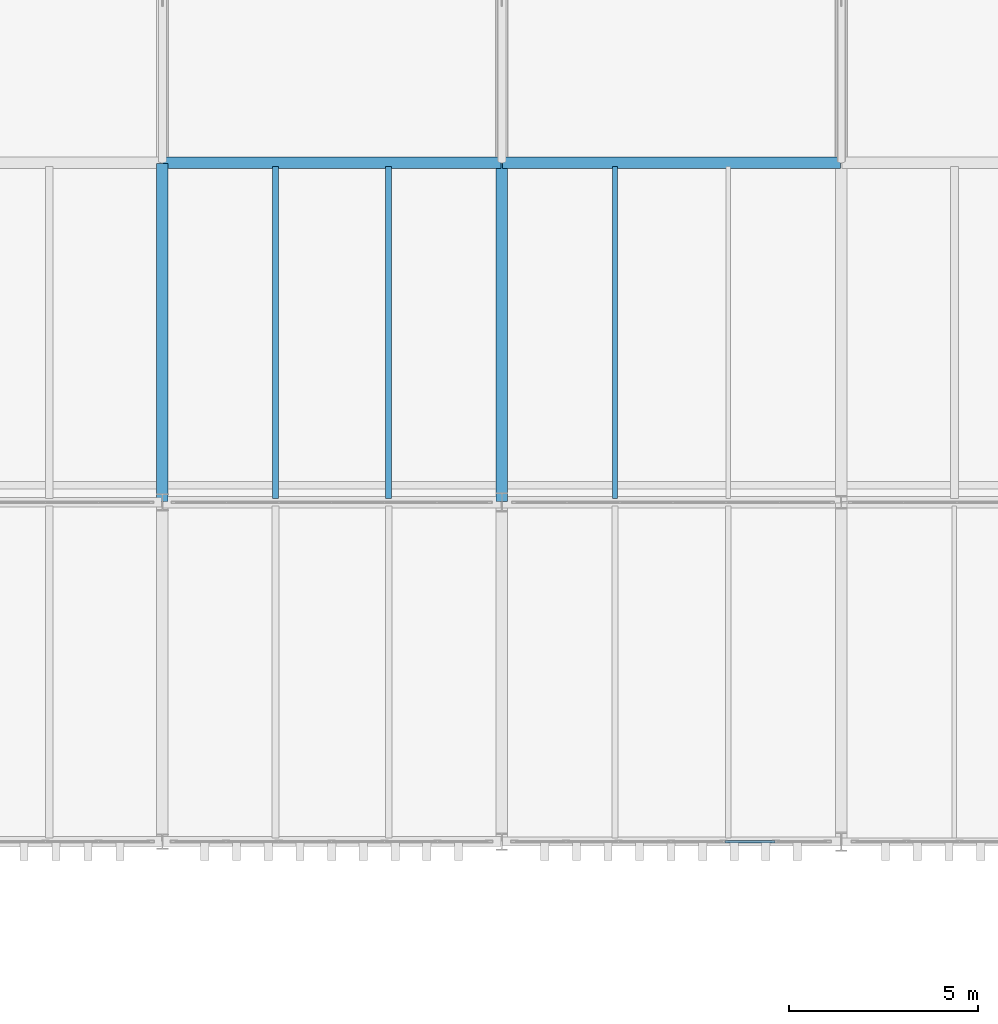
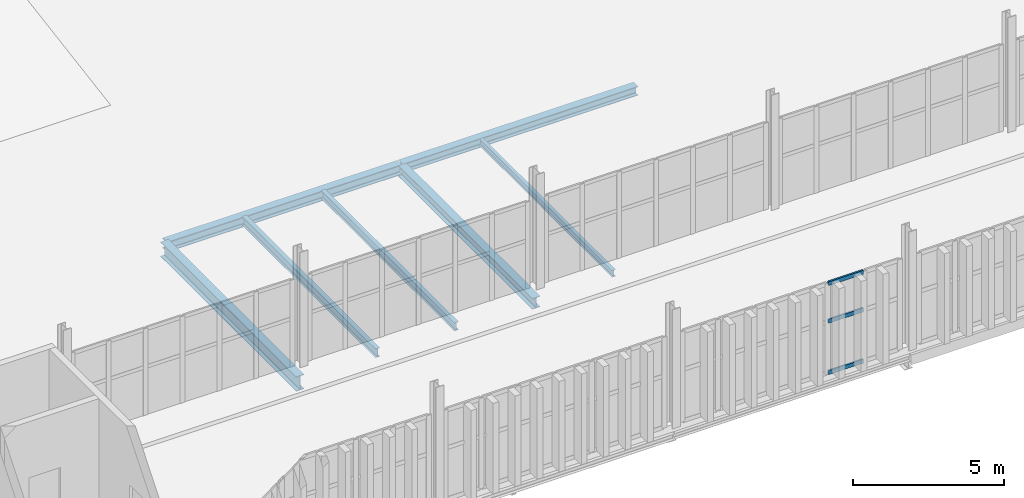
# One storey, part 36 of 196: 7 beams, 3 members, 1 element without a shape of its own.
"""IFC4 building model written with IfcOpenShell, lengths in metres."""

from ifc_helpers import new_model, si_unit, direction, frame, origin, origin_2d, place, context, subcontext, project, spatial, hollow_rectangle, i_section, extrude, material, layer, layer_set, material_profile, profile_set, type_object, element, aggregate, save


model = new_model("IFC4")

# Units and contexts
model_context = context("Model", 3, precision=1e-05, world=origin(), true_north=direction((0.0, 1.0)))
body_context = subcontext(model_context, "Body", "Model", "MODEL_VIEW")
ifc_project = project(units=[si_unit("LENGTHUNIT", "METRE"), si_unit("AREAUNIT", "SQUARE_METRE"), si_unit("VOLUMEUNIT", "CUBIC_METRE"), si_unit("PLANEANGLEUNIT", "RADIAN"), si_unit("MASSUNIT", "GRAM", prefix="KILO")], contexts=[model_context])

# Site, building, storey
site_placement = place(None, origin())
site = spatial("IfcSite", under=ifc_project, at=site_placement, CompositionType="ELEMENT")
building_placement = place(site_placement, origin())
building = spatial("IfcBuilding", under=site, at=building_placement, Name="Barlavento Convention Centre", CompositionType="ELEMENT")
storey_placement = place(building_placement, frame((0.0, 0.0, 18.0)))
storey = spatial("IfcBuildingStorey", under=building, at=storey_placement, Name="L03", CompositionType="ELEMENT", Elevation=18.0)

# Curtain wall, members
ifc_material_1 = material(Name="Powder-coated aluminium and Low-E glass", Category="aluminium")
ifc_layer = layer(ifc_material_1, 0.179931640625)
ifc_layer_set = layer_set([ifc_layer], Name="ARC-CW-CONF-L03")
curtain_wall_type = type_object("IfcCurtainWallType", Name="ARC-CW-CONF-L03", PredefinedType="NOTDEFINED", material=ifc_layer_set)
curtain_wall_placement = place(storey_placement, origin())
curtain_wall = element("IfcCurtainWall", 1, at=curtain_wall_placement, inside=storey, type_object=curtain_wall_type, Name="L03 unitised curtain wall CW08", PredefinedType="NOTDEFINED")
ifc_material_2 = material(Name="Powder-coated aluminium", Category="aluminium")
ifc_material_profile_1 = material_profile(ifc_material_2, hollow_rectangle(XDim=0.06494140625, YDim=0.159912109375, WallThickness=0.0048828125, at=origin_2d()), Name="AL-TRAN 65x160x5")
ifc_profile_set_1 = profile_set([ifc_material_profile_1], Name="Powder-coated aluminium")
member_type = type_object("IfcMemberType", Name="ARC-CWT-65X160", PredefinedType="USERDEFINED", material=ifc_profile_set_1)
member_1_placement = place(storey_placement, frame((95.9140625, 45.0, 0.032470703125), z_axis=(1.0, 0.0, 0.0), x_axis=(0.0, 1.0, 0.0)))
member_1 = element("IfcMember", 2, at=member_1_placement, type_object=member_type, Name="CW08 transom 5.1", ObjectType="TRANSOM", PredefinedType="USERDEFINED", context=body_context, shape_type="SweptSolid", body=[
    extrude(hollow_rectangle(XDim=0.06494140625, YDim=0.159912109375, WallThickness=0.0048828125, at=origin_2d()), origin(), (0.0, 0.0, 1.0), 1.329345703125),
])
member_2_placement = place(storey_placement, frame((95.9140625, 45.0, 2.10009765625), z_axis=(1.0, 0.0, 0.0), x_axis=(0.0, 1.0, 0.0)))
member_2 = element("IfcMember", 3, at=member_2_placement, type_object=member_type, Name="CW08 transom 5.2", ObjectType="TRANSOM", PredefinedType="USERDEFINED", context=body_context, shape_type="SweptSolid", body=[
    extrude(hollow_rectangle(XDim=0.06494140625, YDim=0.159912109375, WallThickness=0.0048828125, at=origin_2d()), origin(), (0.0, 0.0, 1.0), 1.329345703125),
])
member_3_placement = place(storey_placement, frame((95.9140625, 45.0, 3.617431640625), z_axis=(1.0, 0.0, 0.0), x_axis=(0.0, 1.0, 0.0)))
member_3 = element("IfcMember", 4, at=member_3_placement, type_object=member_type, Name="CW08 transom 5.3", ObjectType="TRANSOM", PredefinedType="USERDEFINED", context=body_context, shape_type="SweptSolid", body=[
    extrude(hollow_rectangle(XDim=0.06494140625, YDim=0.159912109375, WallThickness=0.0048828125, at=origin_2d()), origin(), (0.0, 0.0, 1.0), 1.329345703125),
])
aggregate(curtain_wall, [member_1, member_2, member_3])

# Beams
ifc_material_3 = material(Name="Steel S355", Category="steel")
ifc_material_profile_2 = material_profile(ifc_material_3, i_section(OverallWidth=0.135009765625, OverallDepth=0.27001953125, WebThickness=0.006591796875, FlangeThickness=0.01025390625, FilletRadius=0.014892578125, at=origin_2d()), Name="IPE 270")
ifc_profile_set_2 = profile_set([ifc_material_profile_2], Name="Steel S355")
beam_type_1 = type_object("IfcBeamType", Name="STR-BM-JST-IPE270", PredefinedType="JOIST", material=ifc_profile_set_2)
beam_1_placement = place(storey_placement, frame((93.0, 54.094970703125, -0.47998046875), z_axis=(0.0, 1.0, 0.0), x_axis=(-1.0, 0.0, 0.0)))
element("IfcBeam", 5, at=beam_1_placement, inside=storey, type_object=beam_type_1, Name="L03 composite floor joist SJ08", PredefinedType="JOIST", context=body_context, shape_type="SweptSolid", body=[
    extrude(i_section(OverallWidth=0.135009765625, OverallDepth=0.27001953125, WebThickness=0.006591796875, FlangeThickness=0.01025390625, FilletRadius=0.014892578125, at=origin_2d()), origin(), (0.0, 0.0, 1.0), 8.81005859375),
])
ifc_material_profile_3 = material_profile(ifc_material_3, i_section(OverallWidth=0.159912109375, OverallDepth=0.330078125, WebThickness=0.007568359375, FlangeThickness=0.011474609375, FilletRadius=0.01806640625, at=origin_2d()), Name="IPE 330")
ifc_profile_set_3 = profile_set([ifc_material_profile_3], Name="Steel S355")
beam_type_2 = type_object("IfcBeamType", Name="STR-BM-JST-IPE330", PredefinedType="JOIST", material=ifc_profile_set_3)
beam_2_placement = place(storey_placement, frame((87.0, 54.094970703125, -0.510009765625), z_axis=(0.0, 1.0, 0.0), x_axis=(-1.0, 0.0, 0.0)))
element("IfcBeam", 6, at=beam_2_placement, inside=storey, type_object=beam_type_2, Name="L03 composite floor joist SJ06", PredefinedType="JOIST", context=body_context, shape_type="SweptSolid", body=[
    extrude(i_section(OverallWidth=0.159912109375, OverallDepth=0.330078125, WebThickness=0.007568359375, FlangeThickness=0.011474609375, FilletRadius=0.01806640625, at=origin_2d()), origin(), (0.0, 0.0, 1.0), 8.81005859375),
])
ifc_material_profile_4 = material_profile(ifc_material_3, i_section(OverallWidth=0.169921875, OverallDepth=0.360107421875, WebThickness=0.008056640625, FlangeThickness=0.0126953125, FilletRadius=0.01806640625, at=origin_2d()), Name="IPE 360")
ifc_profile_set_4 = profile_set([ifc_material_profile_4], Name="Steel S355")
beam_type_3 = type_object("IfcBeamType", Name="STR-BM-JST-IPE360", PredefinedType="JOIST", material=ifc_profile_set_4)
beam_3_placement = place(storey_placement, frame((84.0, 54.094970703125, -0.52490234375), z_axis=(0.0, 1.0, 0.0), x_axis=(-1.0, 0.0, 0.0)))
element("IfcBeam", 7, at=beam_3_placement, inside=storey, type_object=beam_type_3, Name="L03 composite floor joist SJ05", PredefinedType="JOIST", context=body_context, shape_type="SweptSolid", body=[
    extrude(i_section(OverallWidth=0.169921875, OverallDepth=0.360107421875, WebThickness=0.008056640625, FlangeThickness=0.0126953125, FilletRadius=0.01806640625, at=origin_2d()), origin(), (0.0, 0.0, 1.0), 8.81005859375),
])
ifc_material_profile_5 = material_profile(ifc_material_3, i_section(OverallWidth=0.300048828125, OverallDepth=0.43994140625, WebThickness=0.011474609375, FlangeThickness=0.02099609375, FilletRadius=0.027099609375, at=origin_2d()), Name="HEA 450")
ifc_profile_set_5 = profile_set([ifc_material_profile_5], Name="Steel S355")
beam_type_4 = type_object("IfcBeamType", Name="STR-BM-PRI-HEA450", PredefinedType="BEAM", material=ifc_profile_set_5)
beam_4_placement = place(storey_placement, frame((90.0, 54.02001953125, -0.56494140625), z_axis=(0.0, 1.0, 0.0), x_axis=(-1.0, 0.0, 0.0)))
element("IfcBeam", 8, at=beam_4_placement, inside=storey, type_object=beam_type_4, Name="L03 grid girder BG21", PredefinedType="BEAM", context=body_context, shape_type="SweptSolid", body=[
    extrude(i_section(OverallWidth=0.300048828125, OverallDepth=0.43994140625, WebThickness=0.011474609375, FlangeThickness=0.02099609375, FilletRadius=0.027099609375, at=origin_2d()), origin(), (0.0, 0.0, 1.0), 8.9599609375),
])
ifc_material_profile_6 = material_profile(ifc_material_3, i_section(OverallWidth=0.300048828125, OverallDepth=0.590087890625, WebThickness=0.012939453125, FlangeThickness=0.02490234375, FilletRadius=0.027099609375, at=origin_2d()), Name="HEA 600")
ifc_profile_set_6 = profile_set([ifc_material_profile_6], Name="Steel S355")
beam_type_5 = type_object("IfcBeamType", Name="STR-BM-PRI-HEA600", PredefinedType="BEAM", material=ifc_profile_set_6)
beam_5_placement = place(storey_placement, frame((81.0, 54.02001953125, -0.639892578125), z_axis=(0.0, 1.0, 0.0), x_axis=(-1.0, 0.0, 0.0)))
element("IfcBeam", 9, at=beam_5_placement, inside=storey, type_object=beam_type_5, Name="L03 grid girder BG18", PredefinedType="BEAM", context=body_context, shape_type="SweptSolid", body=[
    extrude(i_section(OverallWidth=0.300048828125, OverallDepth=0.590087890625, WebThickness=0.012939453125, FlangeThickness=0.02490234375, FilletRadius=0.027099609375, at=origin_2d()), origin(), (0.0, 0.0, 1.0), 8.9599609375),
])
ifc_material_profile_7 = material_profile(ifc_material_3, i_section(OverallWidth=0.300048828125, OverallDepth=0.360107421875, WebThickness=0.012451171875, FlangeThickness=0.0224609375, FilletRadius=0.027099609375, at=origin_2d()), Name="HEB 360")
ifc_profile_set_7 = profile_set([ifc_material_profile_7], Name="Steel S355")
beam_type_6 = type_object("IfcBeamType", Name="STR-BM-PRI-HEB360", PredefinedType="BEAM", material=ifc_profile_set_7)
beam_6_placement = place(storey_placement, frame((90.02001953125, 63.0, -0.52490234375), z_axis=(1.0, 0.0, 0.0), x_axis=(0.0, 1.0, 0.0)))
element("IfcBeam", 10, at=beam_6_placement, inside=storey, type_object=beam_type_6, Name="L03 primary girder BG12", PredefinedType="BEAM", context=body_context, shape_type="SweptSolid", body=[
    extrude(i_section(OverallWidth=0.300048828125, OverallDepth=0.360107421875, WebThickness=0.012451171875, FlangeThickness=0.0224609375, FilletRadius=0.027099609375, at=origin_2d()), origin(), (0.0, 0.0, 1.0), 8.9599609375),
])
ifc_material_profile_8 = material_profile(ifc_material_3, i_section(OverallWidth=0.300048828125, OverallDepth=0.39990234375, WebThickness=0.013427734375, FlangeThickness=0.02392578125, FilletRadius=0.027099609375, at=origin_2d()), Name="HEB 400")
ifc_profile_set_8 = profile_set([ifc_material_profile_8], Name="Steel S355")
beam_type_7 = type_object("IfcBeamType", Name="STR-BM-PRI-HEB400", PredefinedType="BEAM", material=ifc_profile_set_8)
beam_7_placement = place(storey_placement, frame((81.02001953125, 63.0, -0.544921875), z_axis=(1.0, 0.0, 0.0), x_axis=(0.0, 1.0, 0.0)))
element("IfcBeam", 11, at=beam_7_placement, inside=storey, type_object=beam_type_7, Name="L03 primary girder BG11", PredefinedType="BEAM", context=body_context, shape_type="SweptSolid", body=[
    extrude(i_section(OverallWidth=0.300048828125, OverallDepth=0.39990234375, WebThickness=0.013427734375, FlangeThickness=0.02392578125, FilletRadius=0.027099609375, at=origin_2d()), origin(), (0.0, 0.0, 1.0), 8.9599609375),
])

save(model, "model.ifc")
